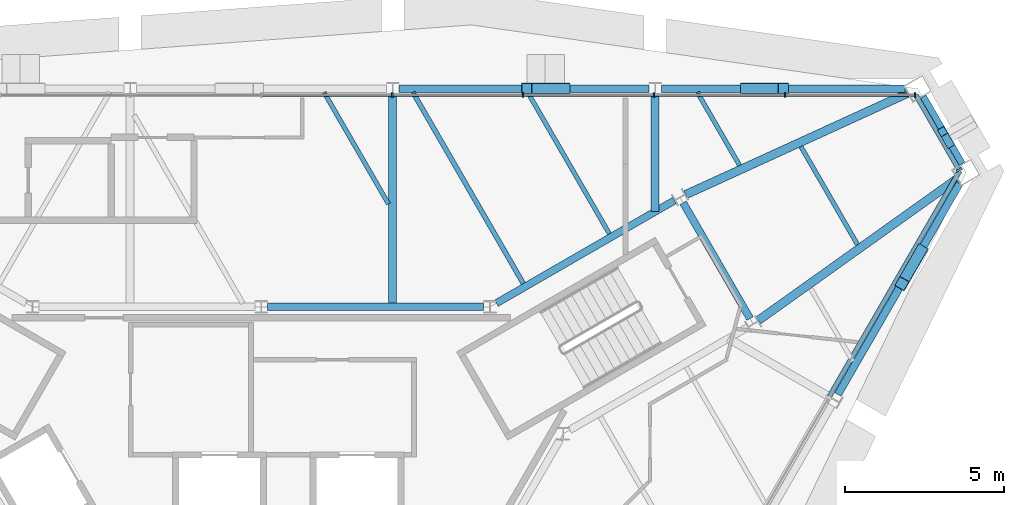
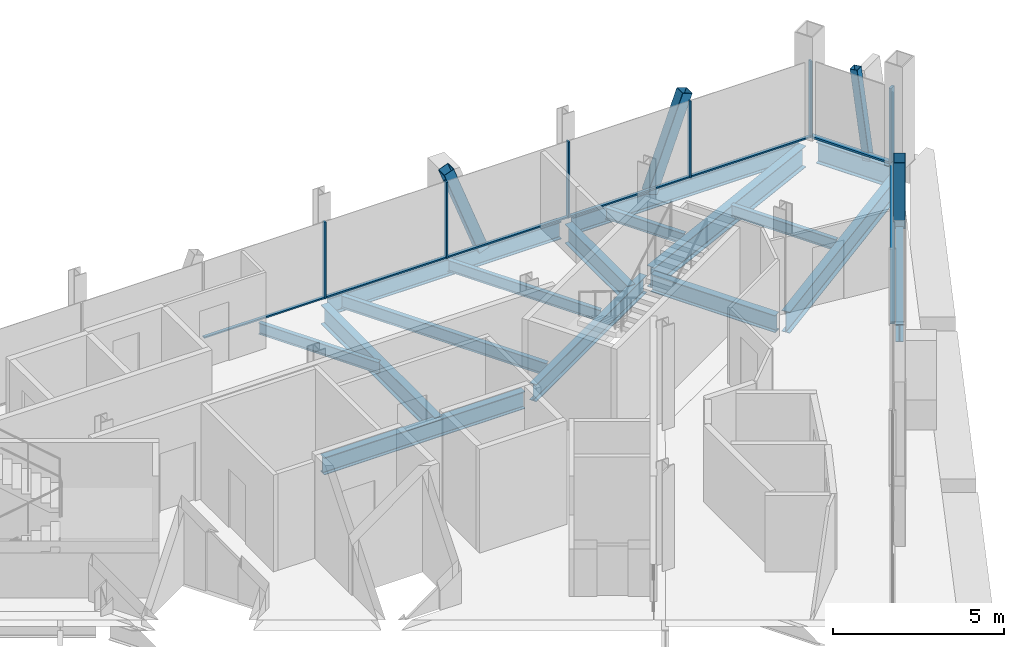
# One storey, part 6 of 12: 17 members, 16 beams, 3 elements without a shape of their own.
"""IFC4 building model written with IfcOpenShell, lengths in metres."""

from ifc_helpers import new_model, si_unit, direction, frame, origin, origin_2d, place, context, subcontext, project, spatial, rectangle, hollow_rectangle, i_section, extrude, material, material_profile, profile_set, type_object, element, aggregate, save


model = new_model("IFC4")

# Units and contexts
model_context = context("Model", 3, precision=1e-05, world=origin(), true_north=direction((0.0, 1.0)))
body_context = subcontext(model_context, "Body", "Model", "MODEL_VIEW")
ifc_project = project(units=[si_unit("LENGTHUNIT", "METRE"), si_unit("AREAUNIT", "SQUARE_METRE"), si_unit("VOLUMEUNIT", "CUBIC_METRE"), si_unit("PLANEANGLEUNIT", "RADIAN"), si_unit("MASSUNIT", "GRAM", prefix="KILO")], contexts=[model_context])

# Site, building, storey
site_placement = place(None, origin())
site = spatial("IfcSite", under=ifc_project, at=site_placement, CompositionType="ELEMENT")
building_placement = place(site_placement, origin())
building = spatial("IfcBuilding", under=site, at=building_placement, Name="Verrane Prism Tower", CompositionType="ELEMENT")
storey_placement = place(building_placement, frame((0.0, 0.0, 271.39990234375)))
storey = spatial("IfcBuildingStorey", under=building, at=storey_placement, Name="L68", CompositionType="ELEMENT", Elevation=271.39990234375)

# Member
ifc_material_1 = material(Name="Steel A500 Grade C", Category="steel")
ifc_material_profile_1 = material_profile(ifc_material_1, hollow_rectangle(XDim=0.25390625, YDim=0.25390625, WallThickness=0.009521484375, InnerFilletRadius=0.0048828125, OuterFilletRadius=0.014404296875, at=origin_2d()), Name="HSS10x10x3/8")
ifc_profile_set_1 = profile_set([ifc_material_profile_1], Name="Steel A500 Grade C")
member_type_1 = type_object("IfcMemberType", Name="Chamfer brace HSS10x10x3/8", PredefinedType="BRACE", material=ifc_profile_set_1)
member_1_placement = place(storey_placement, frame((21.593017578125, 11.931640625, -0.242431640625), z_axis=(-0.067784448094, 0.117358148939, 0.990773603541), x_axis=(-0.865936922628, -0.500153222552, 0.0)))
element("IfcMember", 1, at=member_1_placement, inside=storey, type_object=member_type_1, Name="Chamfer brace NE0 L68", PredefinedType="BRACE", context=body_context, shape_type="SweptSolid", body=[
    extrude(hollow_rectangle(XDim=0.25390625, YDim=0.25390625, WallThickness=0.009521484375, InnerFilletRadius=0.0048828125, OuterFilletRadius=0.014404296875, at=origin_2d()), origin(), (0.0, 0.0, 1.0), 3.13720703125),
])

# Beams
ifc_material_2 = material(Name="Steel A992", Category="steel")
ifc_material_profile_2 = material_profile(ifc_material_2, i_section(OverallWidth=0.2666015625, OverallDepth=0.7568359375, WebThickness=0.013916015625, FlangeThickness=0.019287109375, FilletRadius=0.0166015625, at=origin_2d()), Name="W30x108")
ifc_profile_set_2 = profile_set([ifc_material_profile_2], Name="Steel A992")
beam_type_1 = type_object("IfcBeamType", Name="Chamfer spandrel beam W30x108", PredefinedType="SPANDREL", material=ifc_profile_set_2)
beam_1_placement = place(storey_placement, frame((21.969970703125, 11.27978515625, -0.538330078125), z_axis=(-0.500436097356, 0.865773476415, 0.0), x_axis=(-0.865773476415, -0.500436097356, 0.0)))
element("IfcBeam", 2, at=beam_1_placement, inside=storey, type_object=beam_type_1, Name="Chamfer spandrel beam L68", PredefinedType="SPANDREL", context=body_context, shape_type="SweptSolid", body=[
    extrude(i_section(OverallWidth=0.2666015625, OverallDepth=0.7568359375, WebThickness=0.013916015625, FlangeThickness=0.019287109375, FilletRadius=0.0166015625, at=origin_2d()), origin(), (0.0, 0.0, 1.0), 2.437744140625),
])
ifc_material_3 = material(Name="Steel A992", Category="steel")
ifc_material_profile_3 = material_profile(ifc_material_3, i_section(OverallWidth=0.23046875, OverallDepth=0.6171875, WebThickness=0.01318359375, FlangeThickness=0.022216796875, FilletRadius=0.012939453125, at=origin_2d()), Name="W24x94")
ifc_profile_set_3 = profile_set([ifc_material_profile_3], Name="Steel A992")
beam_type_2 = type_object("IfcBeamType", Name="Core ring girder W24x94", PredefinedType="BEAM", material=ifc_profile_set_3)
beam_2_placement = place(storey_placement, frame((15.339599609375, 6.43359375, -0.55859375), z_axis=(-0.500306681185, 0.865848268903, 0.0), x_axis=(-0.865848268903, -0.500306681185, 0.0)))
element("IfcBeam", 3, at=beam_2_placement, inside=storey, type_object=beam_type_2, Name="Core ring girder L68", PredefinedType="BEAM", context=body_context, shape_type="SweptSolid", body=[
    extrude(i_section(OverallWidth=0.23046875, OverallDepth=0.6171875, WebThickness=0.01318359375, FlangeThickness=0.022216796875, FilletRadius=0.012939453125, at=origin_2d()), origin(), (0.0, 0.0, 1.0), 4.195556640625),
])
beam_3_placement = place(storey_placement, frame((12.96728515625, 10.140380859375, -0.55859375), z_axis=(-0.866080992722, -0.499903704773, 0.0), x_axis=(0.499903704773, -0.866080992722, 0.0)))
element("IfcBeam", 4, at=beam_3_placement, inside=storey, type_object=beam_type_2, Name="Core ring girder L68", PredefinedType="BEAM", context=body_context, shape_type="SweptSolid", body=[
    extrude(i_section(OverallWidth=0.23046875, OverallDepth=0.6171875, WebThickness=0.01318359375, FlangeThickness=0.022216796875, FilletRadius=0.012939453125, at=origin_2d()), origin(), (0.0, 0.0, 1.0), 6.451904296875),
])
beam_4_placement = place(storey_placement, frame((6.980712890625, 6.800048828125, -0.55859375), z_axis=(-1.0, 0.0, 0.0), x_axis=(0.0, -1.0, 0.0)))
element("IfcBeam", 5, at=beam_4_placement, inside=storey, type_object=beam_type_2, Name="Core ring girder L68", PredefinedType="BEAM", context=body_context, shape_type="SweptSolid", body=[
    extrude(i_section(OverallWidth=0.23046875, OverallDepth=0.6171875, WebThickness=0.01318359375, FlangeThickness=0.022216796875, FilletRadius=0.012939453125, at=origin_2d()), origin(), (0.0, 0.0, 1.0), 6.78125),
])
ifc_material_4 = material(Name="Steel A992", Category="steel")
ifc_material_profile_4 = material_profile(ifc_material_4, i_section(OverallWidth=0.2666015625, OverallDepth=0.7568359375, WebThickness=0.013916015625, FlangeThickness=0.019287109375, FilletRadius=0.0166015625, at=origin_2d()), Name="W30x108")
ifc_profile_set_4 = profile_set([ifc_material_profile_4], Name="Steel A992")
beam_type_3 = type_object("IfcBeamType", Name="Corner girder W30x108", PredefinedType="BEAM", material=ifc_profile_set_4)
for number, where, z_axis, x_axis, name in (
    (6, (21.833740234375, 10.81591796875, -0.598388671875), (-0.814401339816, -0.580302040067, 0.0), (0.580302040067, -0.814401339816, 0.0), "Corner girder L68"),
    (7, (20.2802734375, 13.50390625, -0.598388671875), (-0.909481370613, -0.415744677065, 0.0), (0.415744677065, -0.909481370613, 0.0), "Corner girder L68"),
):
    element("IfcBeam", number, at=place(storey_placement, frame(where, z_axis=z_axis, x_axis=x_axis)), inside=storey, type_object=beam_type_3, Name=name, PredefinedType="BEAM", context=body_context, shape_type="SweptSolid", body=[
        extrude(i_section(OverallWidth=0.2666015625, OverallDepth=0.7568359375, WebThickness=0.013916015625, FlangeThickness=0.019287109375, FilletRadius=0.0166015625, at=origin_2d()), origin(), (0.0, 0.0, 1.0), 7.650634765625),
    ])

# Members
ifc_material_5 = material(Name="Steel A500 Grade C", Category="steel")
ifc_material_profile_5 = material_profile(ifc_material_5, hollow_rectangle(XDim=0.355712890625, YDim=0.355712890625, WallThickness=0.0126953125, InnerFilletRadius=0.00634765625, OuterFilletRadius=0.01904296875, at=origin_2d()), Name="HSS14x14x1/2")
ifc_profile_set_5 = profile_set([ifc_material_profile_5], Name="Steel A500 Grade C")
member_type_2 = type_object("IfcMemberType", Name="Facade brace HSS14x14x1/2", PredefinedType="BRACE", material=ifc_profile_set_5)
for number, where, z_axis, x_axis, name in (
    (8, (15.2001953125, 13.64990234375, -0.216552734375), (0.34797434891, 0.0, 0.937504054658), (0.0, 1.0, 0.0), "Facade brace N0 L68"),
    (9, (9.519775390625, 13.64990234375, -0.216552734375), (-0.34797434891, 0.0, 0.937504054658), (0.0, -1.0, 0.0), "Facade brace N1 L68"),
):
    element("IfcMember", number, at=place(storey_placement, frame(where, z_axis=z_axis, x_axis=x_axis)), inside=storey, type_object=member_type_2, Name=name, PredefinedType="BRACE", context=body_context, shape_type="SweptSolid", body=[
        extrude(hollow_rectangle(XDim=0.355712890625, YDim=0.355712890625, WallThickness=0.0126953125, InnerFilletRadius=0.00634765625, OuterFilletRadius=0.01904296875, at=origin_2d()), origin(), (0.0, 0.0, 1.0), 3.4091796875),
    ])
member_2_placement = place(storey_placement, frame((20.699951171875, 8.55908203125, -0.216552734375), z_axis=(-0.174010693257, -0.30154692564, 0.937437854084), x_axis=(0.86613421761, -0.499811481546, 0.0)))
element("IfcMember", 10, at=member_2_placement, inside=storey, type_object=member_type_2, Name="Facade brace SE4 L68", PredefinedType="BRACE", context=body_context, shape_type="SweptSolid", body=[
    extrude(hollow_rectangle(XDim=0.355712890625, YDim=0.355712890625, WallThickness=0.0126953125, InnerFilletRadius=0.00634765625, OuterFilletRadius=0.01904296875, at=origin_2d()), origin(), (0.0, 0.0, 1.0), 3.409423828125),
])

# Beams
ifc_material_6 = material(Name="Steel A992", Category="steel")
ifc_material_profile_6 = material_profile(ifc_material_6, i_section(OverallWidth=0.140380859375, OverallDepth=0.40380859375, WebThickness=0.007080078125, FlangeThickness=0.01123046875, FilletRadius=0.01025390625, at=origin_2d()), Name="W16x31")
ifc_profile_set_6 = profile_set([ifc_material_profile_6], Name="Steel A992")
beam_type_4 = type_object("IfcBeamType", Name="Floor beam W16x31", PredefinedType="BEAM", material=ifc_profile_set_6)
beam_5_placement = place(storey_placement, frame((15.01123046875, 11.2421875, -0.36181640625), z_axis=(-0.50007632508, 0.865981332994, 0.0), x_axis=(-0.865981332994, -0.50007632508, 0.0)))
element("IfcBeam", 11, at=beam_5_placement, inside=storey, type_object=beam_type_4, Name="Floor beam L68", PredefinedType="BEAM", context=body_context, shape_type="SweptSolid", body=[
    extrude(i_section(OverallWidth=0.140380859375, OverallDepth=0.40380859375, WebThickness=0.007080078125, FlangeThickness=0.01123046875, FilletRadius=0.01025390625, at=origin_2d()), origin(), (0.0, 0.0, 1.0), 2.6474609375),
])
beam_6_placement = place(storey_placement, frame((10.925048828125, 9.094482421875, -0.36181640625), z_axis=(-0.500005474671, 0.866022242959, 0.0), x_axis=(-0.866022242959, -0.500005474671, 0.0)))
element("IfcBeam", 12, at=beam_6_placement, inside=storey, type_object=beam_type_4, Name="Floor beam L68", PredefinedType="BEAM", context=body_context, shape_type="SweptSolid", body=[
    extrude(i_section(OverallWidth=0.140380859375, OverallDepth=0.40380859375, WebThickness=0.007080078125, FlangeThickness=0.01123046875, FilletRadius=0.01025390625, at=origin_2d()), origin(), (0.0, 0.0, 1.0), 5.12744140625),
])
beam_7_placement = place(storey_placement, frame((3.992919921875, 10.029296875, -0.36181640625), z_axis=(-0.499992196334, 0.866029909186, 0.0), x_axis=(-0.866029909186, -0.499992196334, 0.0)))
element("IfcBeam", 13, at=beam_7_placement, inside=storey, type_object=beam_type_4, Name="Floor beam L68", PredefinedType="BEAM", context=body_context, shape_type="SweptSolid", body=[
    extrude(i_section(OverallWidth=0.140380859375, OverallDepth=0.40380859375, WebThickness=0.007080078125, FlangeThickness=0.01123046875, FilletRadius=0.01025390625, at=origin_2d()), origin(), (0.0, 0.0, 1.0), 4.0478515625),
])
beam_8_placement = place(storey_placement, frame((18.712158203125, 8.755615234375, -0.36181640625), z_axis=(-0.499986454343, 0.866033224232, 0.0), x_axis=(-0.866033224232, -0.499986454343, 0.0)))
element("IfcBeam", 14, at=beam_8_placement, inside=storey, type_object=beam_type_4, Name="Floor beam L68", PredefinedType="BEAM", context=body_context, shape_type="SweptSolid", body=[
    extrude(i_section(OverallWidth=0.140380859375, OverallDepth=0.40380859375, WebThickness=0.007080078125, FlangeThickness=0.01123046875, FilletRadius=0.01025390625, at=origin_2d()), origin(), (0.0, 0.0, 1.0), 3.548828125),
])
ifc_material_7 = material(Name="Steel A992", Category="steel")
ifc_material_profile_7 = material_profile(ifc_material_7, i_section(OverallWidth=0.15234375, OverallDepth=0.449462890625, WebThickness=0.007568359375, FlangeThickness=0.0107421875, FilletRadius=0.01025390625, at=origin_2d()), Name="W18x35")
ifc_profile_set_7 = profile_set([ifc_material_profile_7], Name="Steel A992")
beam_type_5 = type_object("IfcBeamType", Name="Floor beam W18x35", PredefinedType="BEAM", material=ifc_profile_set_7)
beam_9_placement = place(storey_placement, frame((8.22265625, 7.53466796875, -0.384765625), z_axis=(-0.500012221024, 0.866018347858, 0.0), x_axis=(-0.866018347858, -0.500012221024, 0.0)))
element("IfcBeam", 15, at=beam_9_placement, inside=storey, type_object=beam_type_5, Name="Floor beam L68", PredefinedType="BEAM", context=body_context, shape_type="SweptSolid", body=[
    extrude(i_section(OverallWidth=0.15234375, OverallDepth=0.449462890625, WebThickness=0.007568359375, FlangeThickness=0.0107421875, FilletRadius=0.01025390625, at=origin_2d()), origin(), (0.0, 0.0, 1.0), 6.928466796875),
])

# Curtain wall, members
ifc_material_8 = material(Name="Aluminium framed insulated glazing", Category="aluminium")
curtain_wall_type_1 = type_object("IfcCurtainWallType", Name="Curtain wall CW-C 4200 module", PredefinedType="NOTDEFINED", material=ifc_material_8)
curtain_wall_1_placement = place(storey_placement, origin())
curtain_wall_1 = element("IfcCurtainWall", 16, at=curtain_wall_1_placement, inside=storey, type_object=curtain_wall_type_1, Name="Glazed curtain wall north face L68", PredefinedType="NOTDEFINED")
ifc_material_9 = material(Name="Aluminium alloy 6063-T6", Category="aluminium")
ifc_material_profile_8 = material_profile(ifc_material_9, rectangle(XDim=0.139892578125, YDim=0.050048828125, at=origin_2d()), Name="Mullion 50x140 aluminium")
ifc_profile_set_8 = profile_set([ifc_material_profile_8], Name="Aluminium alloy 6063-T6")
member_type_3 = type_object("IfcMemberType", Name="Mullion 50x140 aluminium", PredefinedType="MULLION", material=ifc_profile_set_8)
member_3_placement = place(storey_placement, frame((20.52099609375, 13.447265625, 0.0), z_axis=(0.0, 0.0, 1.0), x_axis=(0.0, -1.0, 0.0)))
member_3 = element("IfcMember", 17, at=member_3_placement, type_object=member_type_3, Name="CW66.2 mullion 1", PredefinedType="MULLION", context=body_context, shape_type="SweptSolid", body=[
    extrude(rectangle(XDim=0.139892578125, YDim=0.050048828125, at=origin_2d()), origin(), (0.0, 0.0, 1.0), 2.72314453125),
])
member_4_placement = place(storey_placement, frame((16.436767578125, 13.447265625, 0.0), z_axis=(0.0, 0.0, 1.0), x_axis=(0.0, -1.0, 0.0)))
member_4 = element("IfcMember", 18, at=member_4_placement, type_object=member_type_3, Name="CW66.2 mullion 2", PredefinedType="MULLION", context=body_context, shape_type="SweptSolid", body=[
    extrude(rectangle(XDim=0.139892578125, YDim=0.050048828125, at=origin_2d()), origin(), (0.0, 0.0, 1.0), 2.72314453125),
])
member_5_placement = place(storey_placement, frame((12.32763671875, 13.447265625, 0.0), z_axis=(0.0, 0.0, 1.0), x_axis=(0.0, -1.0, 0.0)))
member_5 = element("IfcMember", 19, at=member_5_placement, type_object=member_type_3, Name="CW66.2 mullion 3", PredefinedType="MULLION", context=body_context, shape_type="SweptSolid", body=[
    extrude(rectangle(XDim=0.139892578125, YDim=0.050048828125, at=origin_2d()), origin(), (0.0, 0.0, 1.0), 2.72314453125),
])
member_6_placement = place(storey_placement, frame((8.218505859375, 13.447265625, 0.0), z_axis=(0.0, 0.0, 1.0), x_axis=(0.0, -1.0, 0.0)))
member_6 = element("IfcMember", 20, at=member_6_placement, type_object=member_type_3, Name="CW66.2 mullion 4", PredefinedType="MULLION", context=body_context, shape_type="SweptSolid", body=[
    extrude(rectangle(XDim=0.139892578125, YDim=0.050048828125, at=origin_2d()), origin(), (0.0, 0.0, 1.0), 2.72314453125),
])
member_7_placement = place(storey_placement, frame((4.109130859375, 13.447265625, 0.0), z_axis=(0.0, 0.0, 1.0), x_axis=(0.0, -1.0, 0.0)))
member_7 = element("IfcMember", 21, at=member_7_placement, type_object=member_type_3, Name="CW66.2 mullion 5", PredefinedType="MULLION", context=body_context, shape_type="SweptSolid", body=[
    extrude(rectangle(XDim=0.139892578125, YDim=0.050048828125, at=origin_2d()), origin(), (0.0, 0.0, 1.0), 2.72314453125),
])

# Curtain wall, member
ifc_material_10 = material(Name="Aluminium framed insulated glazing", Category="aluminium")
curtain_wall_type_2 = type_object("IfcCurtainWallType", Name="Curtain wall CW-A 8400 module", PredefinedType="NOTDEFINED", material=ifc_material_10)
curtain_wall_2_placement = place(storey_placement, origin())
curtain_wall_2 = element("IfcCurtainWall", 22, at=curtain_wall_2_placement, inside=storey, type_object=curtain_wall_type_2, Name="Glazed curtain wall north-east corner L68", PredefinedType="NOTDEFINED")
ifc_material_11 = material(Name="Aluminium alloy 6063-T6", Category="aluminium")
ifc_material_profile_9 = material_profile(ifc_material_11, rectangle(XDim=0.199951171875, YDim=0.070068359375, at=origin_2d()), Name="Mullion 70x200 aluminium")
ifc_profile_set_9 = profile_set([ifc_material_profile_9], Name="Aluminium alloy 6063-T6")
member_type_4 = type_object("IfcMemberType", Name="Mullion 70x200 aluminium", PredefinedType="MULLION", material=ifc_profile_set_9)
member_8_placement = place(storey_placement, frame((21.901123046875, 11.10009765625, 0.0), z_axis=(0.0, 0.0, 1.0), x_axis=(-0.866024225493, -0.500002040855, 0.0)))
member_8 = element("IfcMember", 23, at=member_8_placement, type_object=member_type_4, Name="CW66.1 mullion 1", PredefinedType="MULLION", context=body_context, shape_type="SweptSolid", body=[
    extrude(rectangle(XDim=0.199951171875, YDim=0.070068359375, at=origin_2d()), origin(), (0.0, 0.0, 1.0), 2.72314453125),
])

# Beams
ifc_material_12 = material(Name="Steel A992", Category="steel")
ifc_material_profile_10 = material_profile(ifc_material_12, i_section(OverallWidth=0.25390625, OverallDepth=0.683349609375, WebThickness=0.012451171875, FlangeThickness=0.01904296875, FilletRadius=0.01513671875, at=origin_2d()), Name="W27x94")
ifc_profile_set_10 = profile_set([ifc_material_profile_10], Name="Steel A992")
beam_type_6 = type_object("IfcBeamType", Name="Radial girder W27x94", PredefinedType="BEAM", material=ifc_profile_set_10)
beam_10_placement = place(storey_placement, frame((12.360107421875, 13.4619140625, -0.5615234375), z_axis=(0.0, -1.0, 0.0), x_axis=(1.0, 0.0, 0.0)))
element("IfcBeam", 24, at=beam_10_placement, inside=storey, type_object=beam_type_6, Name="Radial girder L68", PredefinedType="BEAM", context=body_context, shape_type="SweptSolid", body=[
    extrude(i_section(OverallWidth=0.25390625, OverallDepth=0.683349609375, WebThickness=0.012451171875, FlangeThickness=0.01904296875, FilletRadius=0.01513671875, at=origin_2d()), origin(), (0.0, 0.0, 1.0), 3.672119140625),
])
beam_11_placement = place(storey_placement, frame((4.1201171875, 13.4619140625, -0.5615234375), z_axis=(0.0, -1.0, 0.0), x_axis=(1.0, 0.0, 0.0)))
element("IfcBeam", 25, at=beam_11_placement, inside=storey, type_object=beam_type_6, Name="Radial girder L68", PredefinedType="BEAM", context=body_context, shape_type="SweptSolid", body=[
    extrude(i_section(OverallWidth=0.25390625, OverallDepth=0.683349609375, WebThickness=0.012451171875, FlangeThickness=0.01904296875, FilletRadius=0.01513671875, at=origin_2d()), origin(), (0.0, 0.0, 1.0), 6.661865234375),
])
ifc_material_13 = material(Name="Steel A992", Category="steel")
ifc_material_profile_11 = material_profile(ifc_material_13, i_section(OverallWidth=0.23046875, OverallDepth=0.6171875, WebThickness=0.01318359375, FlangeThickness=0.022216796875, FilletRadius=0.012939453125, at=origin_2d()), Name="W24x94")
ifc_profile_set_11 = profile_set([ifc_material_profile_11], Name="Steel A992")
beam_type_7 = type_object("IfcBeamType", Name="Spandrel beam W24x94", PredefinedType="SPANDREL", material=ifc_profile_set_11)
beam_12_placement = place(storey_placement, frame((20.19580078125, 13.64990234375, -0.468505859375), z_axis=(-1.0, 0.0, 0.0), x_axis=(0.0, -1.0, 0.0)))
element("IfcBeam", 26, at=beam_12_placement, inside=storey, type_object=beam_type_7, Name="Spandrel beam L68", PredefinedType="SPANDREL", context=body_context, shape_type="SweptSolid", body=[
    extrude(i_section(OverallWidth=0.23046875, OverallDepth=0.6171875, WebThickness=0.01318359375, FlangeThickness=0.022216796875, FilletRadius=0.012939453125, at=origin_2d()), origin(), (0.0, 0.0, 1.0), 7.638916015625),
])
beam_13_placement = place(storey_placement, frame((12.1630859375, 13.64990234375, -0.468505859375), z_axis=(-1.0, 0.0, 0.0), x_axis=(0.0, -1.0, 0.0)))
element("IfcBeam", 27, at=beam_13_placement, inside=storey, type_object=beam_type_7, Name="Spandrel beam L68", PredefinedType="SPANDREL", context=body_context, shape_type="SweptSolid", body=[
    extrude(i_section(OverallWidth=0.23046875, OverallDepth=0.6171875, WebThickness=0.01318359375, FlangeThickness=0.022216796875, FilletRadius=0.012939453125, at=origin_2d()), origin(), (0.0, 0.0, 1.0), 7.84619140625),
])
beam_14_placement = place(storey_placement, frame((18.098388671875, 4.050537109375, -0.468505859375), z_axis=(0.499791590914, 0.866145695395, 0.0), x_axis=(-0.866145695395, 0.499791590914, 0.0)))
element("IfcBeam", 28, at=beam_14_placement, inside=storey, type_object=beam_type_7, Name="Spandrel beam L68", PredefinedType="SPANDREL", context=body_context, shape_type="SweptSolid", body=[
    extrude(i_section(OverallWidth=0.23046875, OverallDepth=0.6171875, WebThickness=0.01318359375, FlangeThickness=0.022216796875, FilletRadius=0.012939453125, at=origin_2d()), origin(), (0.0, 0.0, 1.0), 7.642333984375),
])

# Member
ifc_material_14 = material(Name="Aluminium alloy 6063-T6", Category="aluminium")
ifc_material_profile_12 = material_profile(ifc_material_14, rectangle(XDim=0.10009765625, YDim=0.050048828125, at=origin_2d()), Name="Transom 50x100 aluminium")
ifc_profile_set_12 = profile_set([ifc_material_profile_12], Name="Aluminium alloy 6063-T6")
member_type_5 = type_object("IfcMemberType", Name="Transom 50x100 aluminium", PredefinedType="USERDEFINED", material=ifc_profile_set_12)
member_9_placement = place(storey_placement, frame((20.49609375, 13.447265625, 0.025146484375), z_axis=(-1.0, 0.0, 0.0), x_axis=(0.0, -1.0, 0.0)))
member_9 = element("IfcMember", 29, at=member_9_placement, type_object=member_type_5, Name="CW66.2 transom 1", ObjectType="TRANSOM", PredefinedType="USERDEFINED", context=body_context, shape_type="SweptSolid", body=[
    extrude(rectangle(XDim=0.10009765625, YDim=0.050048828125, at=origin_2d()), origin(), (0.0, 0.0, 1.0), 4.0341796875),
])

member_10_placement = place(storey_placement, frame((16.411865234375, 13.447265625, 0.025146484375), z_axis=(-1.0, 0.0, 0.0), x_axis=(0.0, -1.0, 0.0)))
member_10 = element("IfcMember", 30, at=member_10_placement, type_object=member_type_5, Name="CW66.2 transom 2", ObjectType="TRANSOM", PredefinedType="USERDEFINED", context=body_context, shape_type="SweptSolid", body=[
    extrude(rectangle(XDim=0.10009765625, YDim=0.050048828125, at=origin_2d()), origin(), (0.0, 0.0, 1.0), 4.059326171875),
])

member_11_placement = place(storey_placement, frame((12.302734375, 13.447265625, 0.025146484375), z_axis=(-1.0, 0.0, 0.0), x_axis=(0.0, -1.0, 0.0)))
member_11 = element("IfcMember", 31, at=member_11_placement, type_object=member_type_5, Name="CW66.2 transom 3", ObjectType="TRANSOM", PredefinedType="USERDEFINED", context=body_context, shape_type="SweptSolid", body=[
    extrude(rectangle(XDim=0.10009765625, YDim=0.050048828125, at=origin_2d()), origin(), (0.0, 0.0, 1.0), 4.059326171875),
])

member_12_placement = place(storey_placement, frame((8.193359375, 13.447265625, 0.025146484375), z_axis=(-1.0, 0.0, 0.0), x_axis=(0.0, -1.0, 0.0)))
member_12 = element("IfcMember", 32, at=member_12_placement, type_object=member_type_5, Name="CW66.2 transom 4", ObjectType="TRANSOM", PredefinedType="USERDEFINED", context=body_context, shape_type="SweptSolid", body=[
    extrude(rectangle(XDim=0.10009765625, YDim=0.050048828125, at=origin_2d()), origin(), (0.0, 0.0, 1.0), 4.05908203125),
])

member_13_placement = place(storey_placement, frame((4.084228515625, 13.447265625, 0.025146484375), z_axis=(-1.0, 0.0, 0.0), x_axis=(0.0, -1.0, 0.0)))
member_13 = element("IfcMember", 33, at=member_13_placement, type_object=member_type_5, Name="CW66.2 transom 5", ObjectType="TRANSOM", PredefinedType="USERDEFINED", context=body_context, shape_type="SweptSolid", body=[
    extrude(rectangle(XDim=0.10009765625, YDim=0.050048828125, at=origin_2d()), origin(), (0.0, 0.0, 1.0), 4.059326171875),
])

aggregate(curtain_wall_1, [member_3, member_4, member_5, member_6, member_7, member_9, member_10, member_11, member_12, member_13])

ifc_material_15 = material(Name="Aluminium alloy 6063-T6", Category="aluminium")
ifc_material_profile_13 = material_profile(ifc_material_15, rectangle(XDim=0.14990234375, YDim=0.070068359375, at=origin_2d()), Name="Transom 70x150 aluminium")
ifc_profile_set_13 = profile_set([ifc_material_profile_13], Name="Aluminium alloy 6063-T6")
member_type_6 = type_object("IfcMemberType", Name="Transom 70x150 aluminium", PredefinedType="USERDEFINED", material=ifc_profile_set_13)
member_14_placement = place(storey_placement, frame((21.8837890625, 11.13037109375, 0.03515625), z_axis=(-0.499996300355, 0.866027539765, 0.0), x_axis=(-0.866027539765, -0.499996300355, 0.0)))
member_14 = element("IfcMember", 34, at=member_14_placement, type_object=member_type_6, Name="CW66.1 transom 1", ObjectType="TRANSOM", PredefinedType="USERDEFINED", context=body_context, shape_type="SweptSolid", body=[
    extrude(rectangle(XDim=0.14990234375, YDim=0.070068359375, at=origin_2d()), origin(), (0.0, 0.0, 1.0), 2.67529296875),
])

aggregate(curtain_wall_2, [member_8, member_14])

# Curtain wall, member
curtain_wall_3_placement = place(storey_placement, origin())
curtain_wall_3 = element("IfcCurtainWall", 35, at=curtain_wall_3_placement, inside=storey, type_object=curtain_wall_type_2, Name="Glazed curtain wall south-east face L68", PredefinedType="NOTDEFINED")
member_15_placement = place(storey_placement, frame((17.826904296875, 3.982666015625, 0.03515625), z_axis=(0.500002215902, 0.866024124429, 0.0), x_axis=(-0.866024124429, 0.500002215902, 0.0)))
member_15 = element("IfcMember", 36, at=member_15_placement, type_object=member_type_6, Name="CW66.6 transom 5", ObjectType="TRANSOM", PredefinedType="USERDEFINED", context=body_context, shape_type="SweptSolid", body=[
    extrude(rectangle(XDim=0.14990234375, YDim=0.070068359375, at=origin_2d()), origin(), (0.0, 0.0, 1.0), 8.18359375),
])
aggregate(curtain_wall_3, [member_15])

save(model, "model.ifc")
